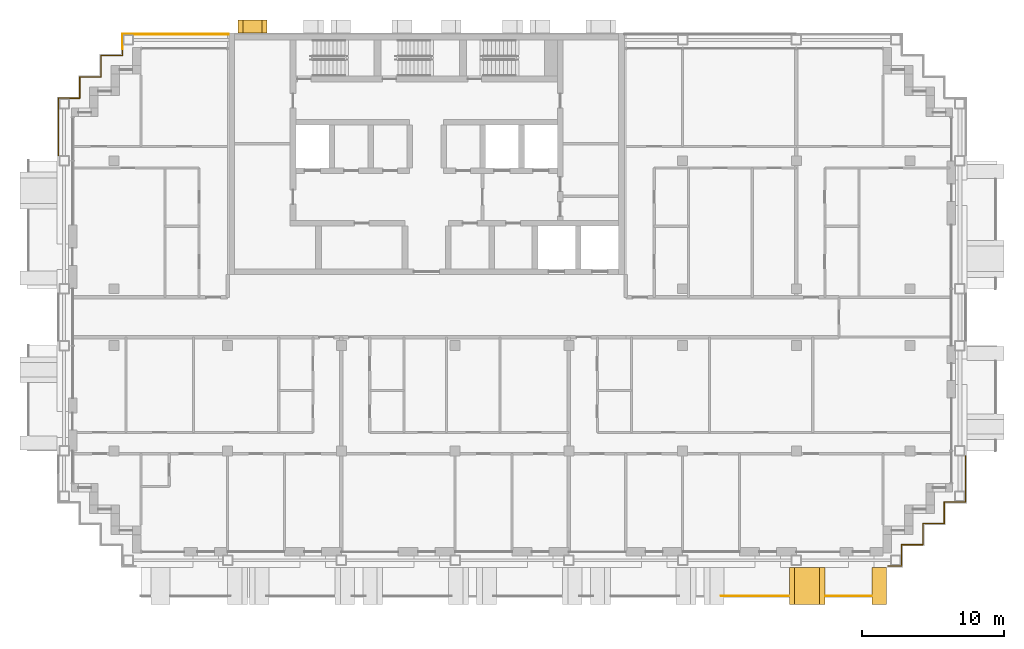
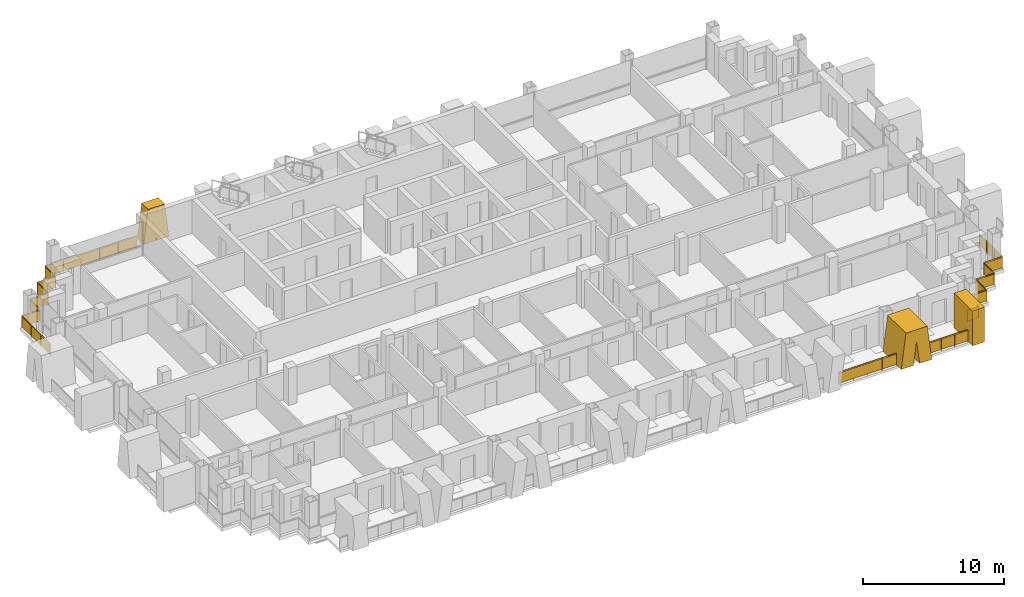
# One storey, part 14 of 16: 6 railings, 3 shading devices.
"""IFC4 building model written with IfcOpenShell, lengths in metres."""

from ifc_helpers import new_model, si_unit, direction, frame, origin, origin_2d, place, context, subcontext, project, spatial, polyline, rectangle, circle, outline, extrude, material, layer, layer_set, type_object, element, save


model = new_model("IFC4")

# Units and contexts
model_context = context("Model", 3, precision=1e-05, world=origin(), true_north=direction((0.0, 1.0)))
body_context = subcontext(model_context, "Body", "Model", "MODEL_VIEW")
ifc_project = project(units=[si_unit("LENGTHUNIT", "METRE"), si_unit("AREAUNIT", "SQUARE_METRE"), si_unit("VOLUMEUNIT", "CUBIC_METRE"), si_unit("PLANEANGLEUNIT", "RADIAN"), si_unit("MASSUNIT", "GRAM", prefix="KILO")], contexts=[model_context])

# Site, building, storey
site_placement = place(None, origin())
site = spatial("IfcSite", under=ifc_project, at=site_placement, CompositionType="ELEMENT")
building_placement = place(site_placement, origin())
building = spatial("IfcBuilding", under=site, at=building_placement, Name="Vidyagriha Tower", CompositionType="ELEMENT")
storey_placement = place(building_placement, frame((0.0, 0.0, 171.699951171875)))
storey = spatial("IfcBuildingStorey", under=building, at=storey_placement, Name="L44", CompositionType="ELEMENT", Elevation=171.699951171875)

# Railings
ifc_material_1 = material(Name="Steel ASTM A500 Grade C black painted", Category="steel")
railing_type_1 = type_object("IfcRailingType", Name="Balcony guard 1100", PredefinedType="BALUSTRADE", material=ifc_material_1)
railing_1_placement = place(storey_placement, frame((20.71630859375, -19.60009765625, 0.0)))
element("IfcRailing", 1, at=railing_1_placement, inside=storey, type_object=railing_type_1, Name="Balcony guard L44 R23.1-11", PredefinedType="BALUSTRADE", context=body_context, shape_type="SweptSolid", body=[
    extrude(circle(Radius=0.02490234375, at=origin_2d()), frame((0.0, 0.0, 1.0751953125), z_axis=(1.0, 0.0, 0.0), x_axis=(0.0, 1.0, 0.0)), (0.0, 0.0, 1.0), 4.733642578125),
    extrude(circle(Radius=0.02001953125, at=origin_2d()), origin(), (0.0, 0.0, 1.0), 1.050048828125),
    extrude(circle(Radius=0.02001953125, at=origin_2d()), frame((1.183349609375, 0.0, 0.0)), (0.0, 0.0, 1.0), 1.050048828125),
    extrude(circle(Radius=0.02001953125, at=origin_2d()), frame((2.36669921875, 0.0, 0.0)), (0.0, 0.0, 1.0), 1.050048828125),
    extrude(circle(Radius=0.02001953125, at=origin_2d()), frame((3.55029296875, 0.0, 0.0)), (0.0, 0.0, 1.0), 1.050048828125),
    extrude(circle(Radius=0.02001953125, at=origin_2d()), frame((4.733642578125, 0.0, 0.0)), (0.0, 0.0, 1.0), 1.050048828125),
    extrude(rectangle(XDim=0.010009765625, YDim=0.900146484375, at=origin_2d()), frame((0.0, 0.0, 0.550048828125), z_axis=(1.0, 0.0, 0.0), x_axis=(0.0, 1.0, 0.0)), (0.0, 0.0, 1.0), 4.733642578125),
])
railing_2_placement = place(storey_placement, frame((28.050048828125, -19.60009765625, 0.0)))
element("IfcRailing", 2, at=railing_2_placement, inside=storey, type_object=railing_type_1, Name="Balcony guard L44 R23.1-12", PredefinedType="BALUSTRADE", context=body_context, shape_type="SweptSolid", body=[
    extrude(circle(Radius=0.02490234375, at=origin_2d()), frame((0.0, 0.0, 1.0751953125), z_axis=(1.0, 0.0, 0.0), x_axis=(0.0, 1.0, 0.0)), (0.0, 0.0, 1.0), 3.224853515625),
    extrude(circle(Radius=0.02001953125, at=origin_2d()), origin(), (0.0, 0.0, 1.0), 1.050048828125),
    extrude(circle(Radius=0.02001953125, at=origin_2d()), frame((1.074951171875, 0.0, 0.0)), (0.0, 0.0, 1.0), 1.050048828125),
    extrude(circle(Radius=0.02001953125, at=origin_2d()), frame((2.14990234375, 0.0, 0.0)), (0.0, 0.0, 1.0), 1.050048828125),
    extrude(circle(Radius=0.02001953125, at=origin_2d()), frame((3.224853515625, 0.0, 0.0)), (0.0, 0.0, 1.0), 1.050048828125),
    extrude(rectangle(XDim=0.010009765625, YDim=0.900146484375, at=origin_2d()), frame((0.0, 0.0, 0.550048828125), z_axis=(1.0, 0.0, 0.0), x_axis=(0.0, 1.0, 0.0)), (0.0, 0.0, 1.0), 3.224853515625),
])

# Shading devices
ifc_material_2 = material(Name="Precast concrete C40/50 with buff brick facing", Category="concrete")
ifc_layer_1 = layer(ifc_material_2, 1.0)
ifc_layer_set_1 = layer_set([ifc_layer_1], Name="Precast concrete C40/50 with buff brick facing")
shading_device_type_1 = type_object("IfcShadingDeviceType", Name="Brick-faced blade fin forking 8 degrees", PredefinedType="USERDEFINED", material=ifc_layer_set_1)
shading_device_1_placement = place(storey_placement, frame((25.5, -18.89990234375, 0.0)))
element("IfcShadingDevice", 3, at=shading_device_1_placement, inside=storey, type_object=shading_device_type_1, Name="Forked blade fin L44 R23.4610a", ObjectType="BLADE FIN", PredefinedType="USERDEFINED", context=body_context, shape_type="SweptSolid", body=[
    extrude(outline(polyline([(1.0, 0.0), (1.25, 2.0), (1.5, 0.0), (2.5, 0.0), (2.125, 3.0), (0.375, 3.0), (0.0, 0.0), (1.0, 0.0)])), frame((0.0, 1.300048828125, 0.0), z_axis=(0.0, -1.0, 0.0), x_axis=(1.0, 0.0, 0.0)), (0.0, 0.0, 1.0), 2.60009765625),
])
ifc_material_3 = material(Name="Precast concrete C40/50 with buff brick facing", Category="concrete")
ifc_layer_2 = layer(ifc_material_3, 1.0)
ifc_layer_set_2 = layer_set([ifc_layer_2], Name="Precast concrete C40/50 with buff brick facing")
shading_device_type_2 = type_object("IfcShadingDeviceType", Name="Brick-faced blade fin stem 1000", PredefinedType="USERDEFINED", material=ifc_layer_set_2)
shading_device_2_placement = place(storey_placement, frame((31.324951171875, -18.89990234375, 0.0)))
element("IfcShadingDevice", 4, at=shading_device_2_placement, inside=storey, type_object=shading_device_type_2, Name="Stem blade fin L44 R23.5220a", ObjectType="BLADE FIN", PredefinedType="USERDEFINED", context=body_context, shape_type="SweptSolid", body=[
    extrude(outline(polyline([(0.0, 0.0), (1.0, 0.0), (1.0, 3.0), (0.0, 3.0), (0.0, 0.0)])), frame((0.0, 1.300048828125, 0.0), z_axis=(0.0, -1.0, 0.0), x_axis=(1.0, 0.0, 0.0)), (0.0, 0.0, 1.0), 2.60009765625),
])
ifc_material_4 = material(Name="Precast concrete C40/50 with brick facing", Category="concrete")
ifc_layer_3 = layer(ifc_material_4, 1.0)
ifc_layer_set_3 = layer_set([ifc_layer_3], Name="Precast concrete C40/50 with brick facing")
shading_device_type_3 = type_object("IfcShadingDeviceType", Name="Brick-faced rear rib forking 8 degrees", PredefinedType="USERDEFINED", material=ifc_layer_set_3)
shading_device_3_placement = place(storey_placement, frame((-11.21435546875, 20.449951171875, 0.0), z_axis=(0.0, 0.0, 1.0), x_axis=(-1.0, 0.0, 0.0)))
element("IfcShadingDevice", 5, at=shading_device_3_placement, inside=storey, type_object=shading_device_type_3, Name="Rear rib fork L44 R08.5a", ObjectType="BLADE FIN", PredefinedType="USERDEFINED", context=body_context, shape_type="SweptSolid", body=[
    extrude(outline(polyline([(1.0, 0.0), (1.03564453125, 0.2919921875), (1.0712890625, 0.0), (2.0712890625, 0.0), (1.71435546875, 2.920166015625), (0.357177734375, 2.920166015625), (0.0, 0.0), (1.0, 0.0)])), frame((0.0, 0.449951171875, 0.0), z_axis=(0.0, -1.0, 0.0), x_axis=(1.0, 0.0, 0.0)), (0.0, 0.0, 1.0), 0.89990234375),
])

# Railings
ifc_material_5 = material(Name="Steel ASTM A500 Grade C black painted", Category="steel")
railing_type_2 = type_object("IfcRailingType", Name="Gallery guard 1100", PredefinedType="GUARDRAIL", material=ifc_material_5)
railing_3_placement = place(storey_placement, frame((-25.89990234375, 11.360107421875, 0.0)))
element("IfcRailing", 6, at=railing_3_placement, inside=storey, type_object=railing_type_2, Name="Gallery guard L44 4", PredefinedType="GUARDRAIL", context=body_context, shape_type="SweptSolid", body=[
    extrude(circle(Radius=0.02490234375, at=origin_2d()), frame((0.0, 0.0, 1.0751953125), z_axis=(0.0, 1.0, 0.0), x_axis=(-1.0, 0.0, 0.0)), (0.0, 0.0, 1.0), 4.039794921875),
    extrude(circle(Radius=0.02490234375, at=origin_2d()), frame((0.0, 4.039794921875, 1.0751953125), z_axis=(1.0, 0.0, 0.0), x_axis=(0.0, 1.0, 0.0)), (0.0, 0.0, 1.0), 1.5),
    extrude(circle(Radius=0.02490234375, at=origin_2d()), frame((1.5, 4.039794921875, 1.0751953125), z_axis=(0.0, 1.0, 0.0), x_axis=(-1.0, 0.0, 0.0)), (0.0, 0.0, 1.0), 1.5),
    extrude(circle(Radius=0.02490234375, at=origin_2d()), frame((1.5, 5.539794921875, 1.0751953125), z_axis=(1.0, 0.0, 0.0), x_axis=(0.0, 1.0, 0.0)), (0.0, 0.0, 1.0), 1.5),
    extrude(circle(Radius=0.02490234375, at=origin_2d()), frame((3.0, 5.539794921875, 1.0751953125), z_axis=(0.0, 1.0, 0.0), x_axis=(-1.0, 0.0, 0.0)), (0.0, 0.0, 1.0), 1.5),
    extrude(circle(Radius=0.02490234375, at=origin_2d()), frame((3.0, 7.039794921875, 1.0751953125), z_axis=(1.0, 0.0, 0.0), x_axis=(0.0, 1.0, 0.0)), (0.0, 0.0, 1.0), 1.5),
    extrude(circle(Radius=0.02490234375, at=origin_2d()), frame((4.5, 7.039794921875, 1.0751953125), z_axis=(0.0, 1.0, 0.0), x_axis=(-1.0, 0.0, 0.0)), (0.0, 0.0, 1.0), 0.460205078125),
    extrude(circle(Radius=0.02001953125, at=origin_2d()), origin(), (0.0, 0.0, 1.0), 1.050048828125),
    extrude(circle(Radius=0.02001953125, at=origin_2d()), frame((0.0, 1.3466796875, 0.0)), (0.0, 0.0, 1.0), 1.050048828125),
    extrude(circle(Radius=0.02001953125, at=origin_2d()), frame((0.0, 2.693115234375, 0.0)), (0.0, 0.0, 1.0), 1.050048828125),
    extrude(circle(Radius=0.02001953125, at=origin_2d()), frame((0.0, 4.039794921875, 0.0)), (0.0, 0.0, 1.0), 1.050048828125),
    extrude(circle(Radius=0.02001953125, at=origin_2d()), frame((1.5, 4.039794921875, 0.0)), (0.0, 0.0, 1.0), 1.050048828125),
    extrude(circle(Radius=0.02001953125, at=origin_2d()), frame((1.5, 5.539794921875, 0.0)), (0.0, 0.0, 1.0), 1.050048828125),
    extrude(circle(Radius=0.02001953125, at=origin_2d()), frame((3.0, 5.539794921875, 0.0)), (0.0, 0.0, 1.0), 1.050048828125),
    extrude(circle(Radius=0.02001953125, at=origin_2d()), frame((3.0, 7.039794921875, 0.0)), (0.0, 0.0, 1.0), 1.050048828125),
    extrude(circle(Radius=0.02001953125, at=origin_2d()), frame((4.5, 7.039794921875, 0.0)), (0.0, 0.0, 1.0), 1.050048828125),
    extrude(circle(Radius=0.02001953125, at=origin_2d()), frame((4.5, 7.5, 0.0)), (0.0, 0.0, 1.0), 1.050048828125),
    extrude(rectangle(XDim=0.010009765625, YDim=0.900146484375, at=origin_2d()), frame((0.0, 0.0, 0.550048828125), z_axis=(0.0, 1.0, 0.0), x_axis=(-1.0, 0.0, 0.0)), (0.0, 0.0, 1.0), 4.039794921875),
    extrude(rectangle(XDim=0.010009765625, YDim=0.900146484375, at=origin_2d()), frame((0.0, 4.039794921875, 0.550048828125), z_axis=(1.0, 0.0, 0.0), x_axis=(0.0, 1.0, 0.0)), (0.0, 0.0, 1.0), 1.5),
    extrude(rectangle(XDim=0.010009765625, YDim=0.900146484375, at=origin_2d()), frame((1.5, 4.039794921875, 0.550048828125), z_axis=(0.0, 1.0, 0.0), x_axis=(-1.0, 0.0, 0.0)), (0.0, 0.0, 1.0), 1.5),
    extrude(rectangle(XDim=0.010009765625, YDim=0.900146484375, at=origin_2d()), frame((1.5, 5.539794921875, 0.550048828125), z_axis=(1.0, 0.0, 0.0), x_axis=(0.0, 1.0, 0.0)), (0.0, 0.0, 1.0), 1.5),
    extrude(rectangle(XDim=0.010009765625, YDim=0.900146484375, at=origin_2d()), frame((3.0, 5.539794921875, 0.550048828125), z_axis=(0.0, 1.0, 0.0), x_axis=(-1.0, 0.0, 0.0)), (0.0, 0.0, 1.0), 1.5),
    extrude(rectangle(XDim=0.010009765625, YDim=0.900146484375, at=origin_2d()), frame((3.0, 7.039794921875, 0.550048828125), z_axis=(1.0, 0.0, 0.0), x_axis=(0.0, 1.0, 0.0)), (0.0, 0.0, 1.0), 1.5),
    extrude(rectangle(XDim=0.010009765625, YDim=0.900146484375, at=origin_2d()), frame((4.5, 7.039794921875, 0.550048828125), z_axis=(0.0, 1.0, 0.0), x_axis=(-1.0, 0.0, 0.0)), (0.0, 0.0, 1.0), 0.460205078125),
])
railing_4_placement = place(storey_placement, frame((-21.39990234375, 18.860107421875, 0.0)))
element("IfcRailing", 7, at=railing_4_placement, inside=storey, type_object=railing_type_2, Name="Gallery guard L44 5", PredefinedType="GUARDRAIL", context=body_context, shape_type="SweptSolid", body=[
    extrude(circle(Radius=0.02490234375, at=origin_2d()), frame((0.0, 0.0, 1.0751953125), z_axis=(0.0, 1.0, 0.0), x_axis=(-1.0, 0.0, 0.0)), (0.0, 0.0, 1.0), 1.039794921875),
    extrude(circle(Radius=0.02490234375, at=origin_2d()), frame((0.0, 1.039794921875, 1.0751953125), z_axis=(1.0, 0.0, 0.0), x_axis=(0.0, 1.0, 0.0)), (0.0, 0.0, 1.0), 7.469970703125),
    extrude(circle(Radius=0.02001953125, at=origin_2d()), origin(), (0.0, 0.0, 1.0), 1.050048828125),
    extrude(circle(Radius=0.02001953125, at=origin_2d()), frame((0.0, 1.039794921875, 0.0)), (0.0, 0.0, 1.0), 1.050048828125),
    extrude(circle(Radius=0.02001953125, at=origin_2d()), frame((1.493896484375, 1.039794921875, 0.0)), (0.0, 0.0, 1.0), 1.050048828125),
    extrude(circle(Radius=0.02001953125, at=origin_2d()), frame((2.988037109375, 1.039794921875, 0.0)), (0.0, 0.0, 1.0), 1.050048828125),
    extrude(circle(Radius=0.02001953125, at=origin_2d()), frame((4.48193359375, 1.039794921875, 0.0)), (0.0, 0.0, 1.0), 1.050048828125),
    extrude(circle(Radius=0.02001953125, at=origin_2d()), frame((5.97607421875, 1.039794921875, 0.0)), (0.0, 0.0, 1.0), 1.050048828125),
    extrude(circle(Radius=0.02001953125, at=origin_2d()), frame((7.469970703125, 1.039794921875, 0.0)), (0.0, 0.0, 1.0), 1.050048828125),
    extrude(rectangle(XDim=0.010009765625, YDim=0.900146484375, at=origin_2d()), frame((0.0, 0.0, 0.550048828125), z_axis=(0.0, 1.0, 0.0), x_axis=(-1.0, 0.0, 0.0)), (0.0, 0.0, 1.0), 1.039794921875),
    extrude(rectangle(XDim=0.010009765625, YDim=0.900146484375, at=origin_2d()), frame((0.0, 1.039794921875, 0.550048828125), z_axis=(1.0, 0.0, 0.0), x_axis=(0.0, 1.0, 0.0)), (0.0, 0.0, 1.0), 7.469970703125),
])
railing_5_placement = place(storey_placement, frame((37.89990234375, -9.760009765625, 0.0)))
element("IfcRailing", 8, at=railing_5_placement, inside=storey, type_object=railing_type_2, Name="Gallery guard L44 9", PredefinedType="GUARDRAIL", context=body_context, shape_type="SweptSolid", body=[
    extrude(circle(Radius=0.02490234375, at=origin_2d()), frame((0.0, 0.0, 1.0751953125), z_axis=(0.0, -1.0, 0.0), x_axis=(1.0, 0.0, 0.0)), (0.0, 0.0, 1.0), 3.239990234375),
    extrude(circle(Radius=0.02490234375, at=origin_2d()), frame((0.0, -3.239990234375, 1.0751953125), z_axis=(-1.0, 0.0, 0.0), x_axis=(0.0, -1.0, 0.0)), (0.0, 0.0, 1.0), 1.5),
    extrude(circle(Radius=0.02490234375, at=origin_2d()), frame((-1.5, -3.239990234375, 1.0751953125), z_axis=(0.0, -1.0, 0.0), x_axis=(1.0, 0.0, 0.0)), (0.0, 0.0, 1.0), 1.5),
    extrude(circle(Radius=0.02490234375, at=origin_2d()), frame((-1.5, -4.739990234375, 1.0751953125), z_axis=(-1.0, 0.0, 0.0), x_axis=(0.0, -1.0, 0.0)), (0.0, 0.0, 1.0), 1.5),
    extrude(circle(Radius=0.02490234375, at=origin_2d()), frame((-3.0, -4.739990234375, 1.0751953125), z_axis=(0.0, -1.0, 0.0), x_axis=(1.0, 0.0, 0.0)), (0.0, 0.0, 1.0), 1.5),
    extrude(circle(Radius=0.02490234375, at=origin_2d()), frame((-3.0, -6.239990234375, 1.0751953125), z_axis=(-1.0, 0.0, 0.0), x_axis=(0.0, -1.0, 0.0)), (0.0, 0.0, 1.0), 1.5),
    extrude(circle(Radius=0.02490234375, at=origin_2d()), frame((-4.5, -6.239990234375, 1.0751953125), z_axis=(0.0, -1.0, 0.0), x_axis=(1.0, 0.0, 0.0)), (0.0, 0.0, 1.0), 1.260009765625),
    extrude(circle(Radius=0.02001953125, at=origin_2d()), origin(), (0.0, 0.0, 1.0), 1.050048828125),
    extrude(circle(Radius=0.02001953125, at=origin_2d()), frame((0.0, -1.080078125, 0.0)), (0.0, 0.0, 1.0), 1.050048828125),
    extrude(circle(Radius=0.02001953125, at=origin_2d()), frame((0.0, -2.159912109375, 0.0)), (0.0, 0.0, 1.0), 1.050048828125),
    extrude(circle(Radius=0.02001953125, at=origin_2d()), frame((0.0, -3.239990234375, 0.0)), (0.0, 0.0, 1.0), 1.050048828125),
    extrude(circle(Radius=0.02001953125, at=origin_2d()), frame((-1.5, -3.239990234375, 0.0)), (0.0, 0.0, 1.0), 1.050048828125),
    extrude(circle(Radius=0.02001953125, at=origin_2d()), frame((-1.5, -4.739990234375, 0.0)), (0.0, 0.0, 1.0), 1.050048828125),
    extrude(circle(Radius=0.02001953125, at=origin_2d()), frame((-3.0, -4.739990234375, 0.0)), (0.0, 0.0, 1.0), 1.050048828125),
    extrude(circle(Radius=0.02001953125, at=origin_2d()), frame((-3.0, -6.239990234375, 0.0)), (0.0, 0.0, 1.0), 1.050048828125),
    extrude(circle(Radius=0.02001953125, at=origin_2d()), frame((-4.5, -6.239990234375, 0.0)), (0.0, 0.0, 1.0), 1.050048828125),
    extrude(circle(Radius=0.02001953125, at=origin_2d()), frame((-4.5, -7.5, 0.0)), (0.0, 0.0, 1.0), 1.050048828125),
    extrude(rectangle(XDim=0.010009765625, YDim=0.900146484375, at=origin_2d()), frame((0.0, 0.0, 0.550048828125), z_axis=(0.0, -1.0, 0.0), x_axis=(1.0, 0.0, 0.0)), (0.0, 0.0, 1.0), 3.239990234375),
    extrude(rectangle(XDim=0.010009765625, YDim=0.900146484375, at=origin_2d()), frame((0.0, -3.239990234375, 0.550048828125), z_axis=(-1.0, 0.0, 0.0), x_axis=(0.0, -1.0, 0.0)), (0.0, 0.0, 1.0), 1.5),
    extrude(rectangle(XDim=0.010009765625, YDim=0.900146484375, at=origin_2d()), frame((-1.5, -3.239990234375, 0.550048828125), z_axis=(0.0, -1.0, 0.0), x_axis=(1.0, 0.0, 0.0)), (0.0, 0.0, 1.0), 1.5),
    extrude(rectangle(XDim=0.010009765625, YDim=0.900146484375, at=origin_2d()), frame((-1.5, -4.739990234375, 0.550048828125), z_axis=(-1.0, 0.0, 0.0), x_axis=(0.0, -1.0, 0.0)), (0.0, 0.0, 1.0), 1.5),
    extrude(rectangle(XDim=0.010009765625, YDim=0.900146484375, at=origin_2d()), frame((-3.0, -4.739990234375, 0.550048828125), z_axis=(0.0, -1.0, 0.0), x_axis=(1.0, 0.0, 0.0)), (0.0, 0.0, 1.0), 1.5),
    extrude(rectangle(XDim=0.010009765625, YDim=0.900146484375, at=origin_2d()), frame((-3.0, -6.239990234375, 0.550048828125), z_axis=(-1.0, 0.0, 0.0), x_axis=(0.0, -1.0, 0.0)), (0.0, 0.0, 1.0), 1.5),
    extrude(rectangle(XDim=0.010009765625, YDim=0.900146484375, at=origin_2d()), frame((-4.5, -6.239990234375, 0.550048828125), z_axis=(0.0, -1.0, 0.0), x_axis=(1.0, 0.0, 0.0)), (0.0, 0.0, 1.0), 1.260009765625),
])
railing_6_placement = place(storey_placement, frame((33.39990234375, -17.260009765625, 0.0)))
element("IfcRailing", 9, at=railing_6_placement, inside=storey, type_object=railing_type_2, Name="Gallery guard L44 10", PredefinedType="GUARDRAIL", context=body_context, shape_type="SweptSolid", body=[
    extrude(circle(Radius=0.02490234375, at=origin_2d()), frame((0.0, 0.0, 1.0751953125), z_axis=(0.0, -1.0, 0.0), x_axis=(1.0, 0.0, 0.0)), (0.0, 0.0, 1.0), 0.239990234375),
    extrude(circle(Radius=0.02490234375, at=origin_2d()), frame((0.0, -0.239990234375, 1.0751953125), z_axis=(-1.0, 0.0, 0.0), x_axis=(0.0, -1.0, 0.0)), (0.0, 0.0, 1.0), 0.93994140625),
    extrude(circle(Radius=0.02001953125, at=origin_2d()), origin(), (0.0, 0.0, 1.0), 1.050048828125),
    extrude(circle(Radius=0.02001953125, at=origin_2d()), frame((0.0, -0.239990234375, 0.0)), (0.0, 0.0, 1.0), 1.050048828125),
    extrude(circle(Radius=0.02001953125, at=origin_2d()), frame((-0.93994140625, -0.239990234375, 0.0)), (0.0, 0.0, 1.0), 1.050048828125),
    extrude(rectangle(XDim=0.010009765625, YDim=0.900146484375, at=origin_2d()), frame((0.0, 0.0, 0.550048828125), z_axis=(0.0, -1.0, 0.0), x_axis=(1.0, 0.0, 0.0)), (0.0, 0.0, 1.0), 0.239990234375),
    extrude(rectangle(XDim=0.010009765625, YDim=0.900146484375, at=origin_2d()), frame((0.0, -0.239990234375, 0.550048828125), z_axis=(-1.0, 0.0, 0.0), x_axis=(0.0, -1.0, 0.0)), (0.0, 0.0, 1.0), 0.93994140625),
])

save(model, "model.ifc")
